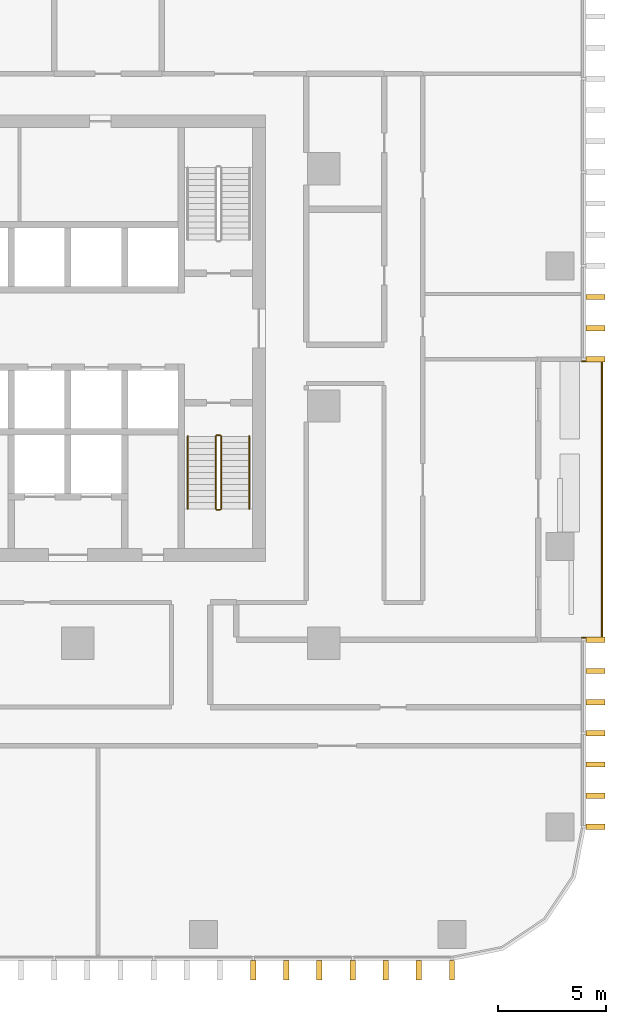
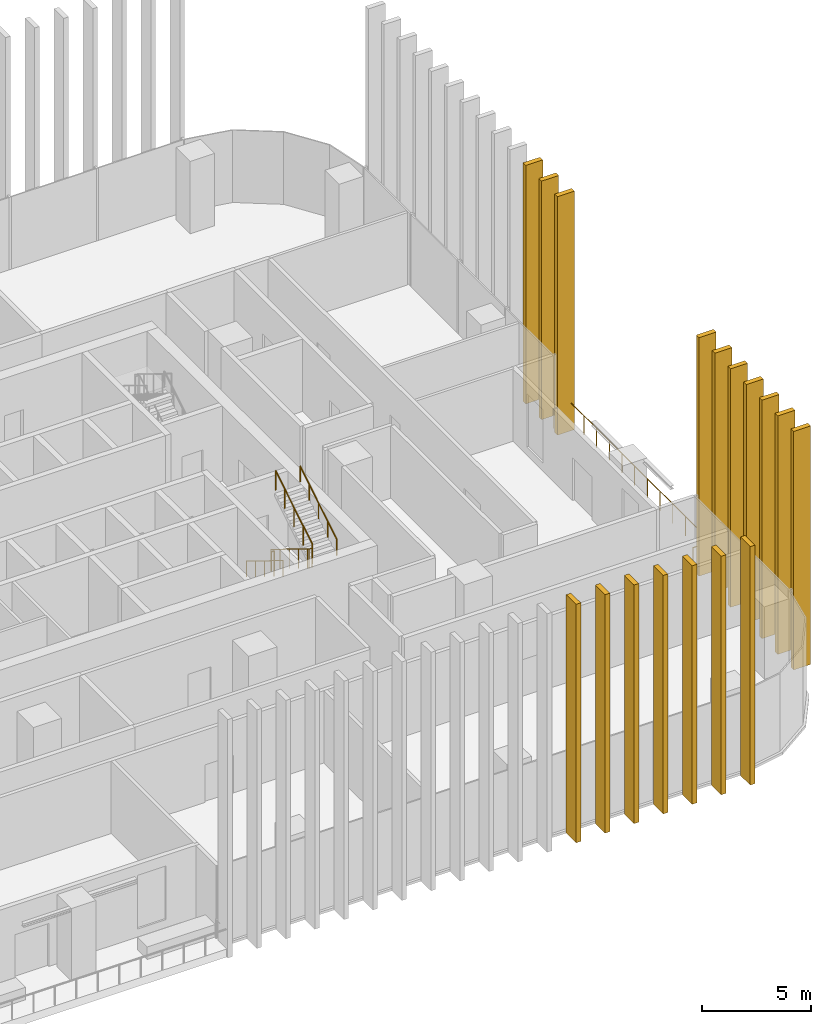
# One storey, part 14 of 17: 17 shading devices, 6 railings.
"""IFC4 building model written with IfcOpenShell, lengths in metres."""

from ifc_helpers import new_model, si_unit, direction, frame, origin, origin_2d, place, context, subcontext, project, spatial, rectangle, circle, extrude, material, type_object, element, save


model = new_model("IFC4")

# Units and contexts
model_context = context("Model", 3, precision=1e-05, world=origin(), true_north=direction((0.0, 1.0)))
body_context = subcontext(model_context, "Body", "Model", "MODEL_VIEW")
ifc_project = project(units=[si_unit("LENGTHUNIT", "METRE"), si_unit("AREAUNIT", "SQUARE_METRE"), si_unit("VOLUMEUNIT", "CUBIC_METRE"), si_unit("PLANEANGLEUNIT", "RADIAN"), si_unit("MASSUNIT", "GRAM", prefix="KILO")], contexts=[model_context])

# Site, building, storey
site_placement = place(None, origin())
site = spatial("IfcSite", under=ifc_project, at=site_placement, CompositionType="ELEMENT")
building_placement = place(site_placement, origin())
building = spatial("IfcBuilding", under=site, at=building_placement, Name="Mopane Tessera Tower", CompositionType="ELEMENT")
storey_placement = place(building_placement, frame((0.0, 0.0, 135.10009765625)))
storey = spatial("IfcBuildingStorey", under=building, at=storey_placement, Name="L27", CompositionType="ELEMENT", Elevation=135.10009765625)

# Shading devices
ifc_material_1 = material(Name="Glazed ceramic tile")
shading_device_type = type_object("IfcShadingDeviceType", Name="Ceramic tile fin 900 x 250 mm", PredefinedType="USERDEFINED", material=ifc_material_1)
for number, where, z_axis, x_axis, name in (
    (1, (13.830078125, -26.14990234375, -0.4501953125), (0.0, 0.0, 1.0), (1.0, 0.0, 0.0), "e:fin:L27:S:8:0"),
    (2, (15.36669921875, -26.14990234375, -0.4501953125), (0.0, 0.0, 1.0), (1.0, 0.0, 0.0), "e:fin:L27:S:8:1"),
    (3, (16.9033203125, -26.14990234375, -0.4501953125), (0.0, 0.0, 1.0), (1.0, 0.0, 0.0), "e:fin:L27:S:8:2"),
    (4, (18.43994140625, -26.14990234375, -0.4501953125), (0.0, 0.0, 1.0), (1.0, 0.0, 0.0), "e:fin:L27:S:9:0"),
    (5, (19.9765625, -26.14990234375, -0.4501953125), (0.0, 0.0, 1.0), (1.0, 0.0, 0.0), "e:fin:L27:S:9:1"),
    (6, (21.513427734375, -26.14990234375, -0.4501953125), (0.0, 0.0, 1.0), (1.0, 0.0, 0.0), "e:fin:L27:S:9:2"),
    (7, (23.050048828125, -26.14990234375, -0.4501953125), (0.0, 0.0, 1.0), (1.0, 0.0, 0.0), "e:fin:L27:S:9:3"),
    (8, (29.699951171875, -19.5, -0.4501953125), (0.0, 0.0, 1.0), (0.0, 1.0, 0.0), "e:fin:L27:E:0:0"),
    (9, (29.699951171875, -18.0556640625, -0.4501953125), (0.0, 0.0, 1.0), (0.0, 1.0, 0.0), "e:fin:L27:E:0:1"),
    (10, (29.699951171875, -16.611083984375, -0.4501953125), (0.0, 0.0, 1.0), (0.0, 1.0, 0.0), "e:fin:L27:E:0:2"),
    (11, (29.699951171875, -15.166748046875, -0.4501953125), (0.0, 0.0, 1.0), (0.0, 1.0, 0.0), "e:fin:L27:E:1:0"),
    (12, (29.699951171875, -13.72216796875, -0.4501953125), (0.0, 0.0, 1.0), (0.0, 1.0, 0.0), "e:fin:L27:E:1:1"),
    (13, (29.699951171875, -12.27783203125, -0.4501953125), (0.0, 0.0, 1.0), (0.0, 1.0, 0.0), "e:fin:L27:E:1:2"),
    (14, (29.699951171875, -10.833251953125, -0.4501953125), (0.0, 0.0, 1.0), (0.0, 1.0, 0.0), "e:fin:L27:E:1:3"),
    (15, (29.699951171875, 2.166748046875, -0.4501953125), (0.0, 0.0, 1.0), (0.0, 1.0, 0.0), "e:fin:L27:E:5:0"),
    (16, (29.699951171875, 3.611083984375, -0.4501953125), (0.0, 0.0, 1.0), (0.0, 1.0, 0.0), "e:fin:L27:E:5:1"),
    (17, (29.699951171875, 5.0556640625, -0.4501953125), (0.0, 0.0, 1.0), (0.0, 1.0, 0.0), "e:fin:L27:E:5:2"),
):
    element("IfcShadingDevice", number, at=place(storey_placement, frame(where, z_axis=z_axis, x_axis=x_axis)), inside=storey, type_object=shading_device_type, Name=name, ObjectType="FIN", PredefinedType="USERDEFINED", context=body_context, shape_type="SweptSolid", body=[
        extrude(rectangle(XDim=0.25, YDim=0.89990234375, at=origin_2d()), origin(), (0.0, 0.0, 1.0), 13.35009765625),
    ])

# Railings
ifc_material_2 = material(Name="Powder-coated steel balustrade", Category="steel")
railing_type_1 = type_object("IfcRailingType", Name="Escape stair guard 1100 mm", PredefinedType="GUARDRAIL", material=ifc_material_2)
railing_1_placement = place(storey_placement, frame((12.10009765625, -1.39990234375, 0.173095703125)))
element("IfcRailing", 18, at=railing_1_placement, inside=storey, type_object=railing_type_1, Name="L27 ST3 stair guard 1", PredefinedType="GUARDRAIL", context=body_context, shape_type="SweptSolid", body=[
    extrude(circle(Radius=0.02392578125, at=origin_2d()), frame((0.0, 0.0, 1.076171875), z_axis=(0.0, -0.850623216509, 0.525775754039), x_axis=(1.0, 0.0, 0.0)), (0.0, 0.0, 1.0), 3.9501953125),
    extrude(circle(Radius=0.02392578125, at=origin_2d()), frame((0.0, -3.360107421875, 3.15283203125), z_axis=(0.705375805398, -0.708833529934, 0.0), x_axis=(0.708833529934, 0.705375805398, 0.0)), (0.0, 0.0, 1.0), 0.070556640625),
    extrude(circle(Radius=0.02392578125, at=origin_2d()), frame((0.0498046875, -3.41015625, 3.15283203125), z_axis=(1.0, 0.0, 0.0), x_axis=(0.0, 1.0, 0.0)), (0.0, 0.0, 1.0), 0.150146484375),
    extrude(circle(Radius=0.02099609375, at=origin_2d()), origin(), (0.0, 0.0, 1.0), 1.052001953125),
    extrude(circle(Radius=0.02099609375, at=origin_2d()), frame((0.0, -0.840087890625, 0.519287109375)), (0.0, 0.0, 1.0), 1.052001953125),
    extrude(circle(Radius=0.02099609375, at=origin_2d()), frame((0.0, -1.68017578125, 1.03857421875)), (0.0, 0.0, 1.0), 1.052001953125),
    extrude(circle(Radius=0.02099609375, at=origin_2d()), frame((0.0, -2.52001953125, 1.5576171875)), (0.0, 0.0, 1.0), 1.052001953125),
    extrude(circle(Radius=0.02099609375, at=origin_2d()), frame((0.0, -3.360107421875, 2.076904296875)), (0.0, 0.0, 1.0), 1.052001953125),
    extrude(circle(Radius=0.02099609375, at=origin_2d()), frame((0.0498046875, -3.41015625, 2.076904296875)), (0.0, 0.0, 1.0), 1.052001953125),
    extrude(circle(Radius=0.02099609375, at=origin_2d()), frame((0.199951171875, -3.41015625, 2.076904296875)), (0.0, 0.0, 1.0), 1.052001953125),
])
railing_2_placement = place(storey_placement, frame((12.35009765625, -4.760009765625, 2.423095703125)))
element("IfcRailing", 19, at=railing_2_placement, inside=storey, type_object=railing_type_1, Name="L27 ST3 stair guard 2", PredefinedType="GUARDRAIL", context=body_context, shape_type="SweptSolid", body=[
    extrude(circle(Radius=0.02392578125, at=origin_2d()), frame((0.0, 0.0, 1.076171875), z_axis=(0.0, 0.850623216509, 0.525775754039), x_axis=(-1.0, 0.0, 0.0)), (0.0, 0.0, 1.0), 3.9501953125),
    extrude(circle(Radius=0.02099609375, at=origin_2d()), origin(), (0.0, 0.0, 1.0), 1.052001953125),
    extrude(circle(Radius=0.02099609375, at=origin_2d()), frame((0.0, 0.840087890625, 0.519287109375)), (0.0, 0.0, 1.0), 1.052001953125),
    extrude(circle(Radius=0.02099609375, at=origin_2d()), frame((0.0, 1.68017578125, 1.03857421875)), (0.0, 0.0, 1.0), 1.052001953125),
    extrude(circle(Radius=0.02099609375, at=origin_2d()), frame((0.0, 2.52001953125, 1.5576171875)), (0.0, 0.0, 1.0), 1.052001953125),
    extrude(circle(Radius=0.02099609375, at=origin_2d()), frame((0.0, 3.360107421875, 2.076904296875)), (0.0, 0.0, 1.0), 1.052001953125),
])
railing_3_placement = place(storey_placement, frame((12.14990234375, -1.35009765625, 0.0)))
element("IfcRailing", 20, at=railing_3_placement, inside=storey, type_object=railing_type_1, Name="L27 ST3 stair guard 3", PredefinedType="GUARDRAIL", context=body_context, shape_type="SweptSolid", body=[
    extrude(circle(Radius=0.02392578125, at=origin_2d()), frame((0.0, 0.0, 1.076171875), z_axis=(1.0, 0.0, 0.0), x_axis=(0.0, 1.0, 0.0)), (0.0, 0.0, 1.0), 0.150146484375),
    extrude(circle(Radius=0.02099609375, at=origin_2d()), origin(), (0.0, 0.0, 1.0), 1.052001953125),
    extrude(circle(Radius=0.02099609375, at=origin_2d()), frame((0.150146484375, 0.0, 0.0)), (0.0, 0.0, 1.0), 1.052001953125),
])
ifc_material_3 = material(Name="Powder-coated steel balustrade", Category="steel")
railing_type_2 = type_object("IfcRailingType", Name="Escape stair handrail 900 mm", PredefinedType="HANDRAIL", material=ifc_material_3)
railing_4_placement = place(storey_placement, frame((10.800048828125, -1.39990234375, 0.173095703125)))
element("IfcRailing", 21, at=railing_4_placement, inside=storey, type_object=railing_type_2, Name="L27 ST3 stair handrail 1", PredefinedType="HANDRAIL", context=body_context, shape_type="SweptSolid", body=[
    extrude(circle(Radius=0.02392578125, at=origin_2d()), frame((0.0, 0.0, 0.8759765625), z_axis=(0.0, -0.850623216509, 0.525775754039), x_axis=(1.0, 0.0, 0.0)), (0.0, 0.0, 1.0), 3.9501953125),
    extrude(circle(Radius=0.02099609375, at=origin_2d()), origin(), (0.0, 0.0, 1.0), 0.851806640625),
    extrude(circle(Radius=0.02099609375, at=origin_2d()), frame((0.0, -0.840087890625, 0.519287109375)), (0.0, 0.0, 1.0), 0.851806640625),
    extrude(circle(Radius=0.02099609375, at=origin_2d()), frame((0.0, -1.68017578125, 1.03857421875)), (0.0, 0.0, 1.0), 0.851806640625),
    extrude(circle(Radius=0.02099609375, at=origin_2d()), frame((0.0, -2.52001953125, 1.5576171875)), (0.0, 0.0, 1.0), 0.851806640625),
    extrude(circle(Radius=0.02099609375, at=origin_2d()), frame((0.0, -3.360107421875, 2.076904296875)), (0.0, 0.0, 1.0), 0.851806640625),
])
railing_5_placement = place(storey_placement, frame((13.64990234375, -4.760009765625, 2.423095703125)))
element("IfcRailing", 22, at=railing_5_placement, inside=storey, type_object=railing_type_2, Name="L27 ST3 stair handrail 2", PredefinedType="HANDRAIL", context=body_context, shape_type="SweptSolid", body=[
    extrude(circle(Radius=0.02392578125, at=origin_2d()), frame((0.0, 0.0, 0.8759765625), z_axis=(0.0, 0.850623216509, 0.525775754039), x_axis=(-1.0, 0.0, 0.0)), (0.0, 0.0, 1.0), 3.9501953125),
    extrude(circle(Radius=0.02099609375, at=origin_2d()), origin(), (0.0, 0.0, 1.0), 0.851806640625),
    extrude(circle(Radius=0.02099609375, at=origin_2d()), frame((0.0, 0.840087890625, 0.519287109375)), (0.0, 0.0, 1.0), 0.851806640625),
    extrude(circle(Radius=0.02099609375, at=origin_2d()), frame((0.0, 1.68017578125, 1.03857421875)), (0.0, 0.0, 1.0), 0.851806640625),
    extrude(circle(Radius=0.02099609375, at=origin_2d()), frame((0.0, 2.52001953125, 1.5576171875)), (0.0, 0.0, 1.0), 0.851806640625),
    extrude(circle(Radius=0.02099609375, at=origin_2d()), frame((0.0, 3.360107421875, 2.076904296875)), (0.0, 0.0, 1.0), 0.851806640625),
])
ifc_material_4 = material(Name="Stainless steel S316", Category="steel")
railing_type_3 = type_object("IfcRailingType", Name="Terrace guard 1100", PredefinedType="GUARDRAIL", material=ifc_material_4)
railing_6_placement = place(storey_placement, frame((29.050048828125, -10.7333984375, 0.0)))
element("IfcRailing", 23, at=railing_6_placement, inside=storey, type_object=railing_type_3, Name="e:nw:L27:N3:guard", PredefinedType="GUARDRAIL", context=body_context, shape_type="SweptSolid", body=[
    extrude(circle(Radius=0.02392578125, at=origin_2d()), frame((0.0, 0.0, 1.076171875), z_axis=(1.0, 0.0, 0.0), x_axis=(0.0, 1.0, 0.0)), (0.0, 0.0, 1.0), 0.949951171875),
    extrude(circle(Radius=0.02392578125, at=origin_2d()), frame((0.949951171875, 0.0, 1.076171875), z_axis=(0.0, 1.0, 0.0), x_axis=(-1.0, 0.0, 0.0)), (0.0, 0.0, 1.0), 12.800048828125),
    extrude(circle(Radius=0.02392578125, at=origin_2d()), frame((0.949951171875, 12.800048828125, 1.076171875), z_axis=(-1.0, 0.0, 0.0), x_axis=(0.0, -1.0, 0.0)), (0.0, 0.0, 1.0), 0.949951171875),
    extrude(circle(Radius=0.02099609375, at=origin_2d()), origin(), (0.0, 0.0, 1.0), 1.052001953125),
    extrude(circle(Radius=0.02099609375, at=origin_2d()), frame((0.949951171875, 0.0, 0.0)), (0.0, 0.0, 1.0), 1.052001953125),
    extrude(circle(Radius=0.02099609375, at=origin_2d()), frame((0.949951171875, 1.16357421875, 0.0)), (0.0, 0.0, 1.0), 1.052001953125),
    extrude(circle(Radius=0.02099609375, at=origin_2d()), frame((0.949951171875, 2.327392578125, 0.0)), (0.0, 0.0, 1.0), 1.052001953125),
    extrude(circle(Radius=0.02099609375, at=origin_2d()), frame((0.949951171875, 3.490966796875, 0.0)), (0.0, 0.0, 1.0), 1.052001953125),
    extrude(circle(Radius=0.02099609375, at=origin_2d()), frame((0.949951171875, 4.654541015625, 0.0)), (0.0, 0.0, 1.0), 1.052001953125),
    extrude(circle(Radius=0.02099609375, at=origin_2d()), frame((0.949951171875, 5.818115234375, 0.0)), (0.0, 0.0, 1.0), 1.052001953125),
    extrude(circle(Radius=0.02099609375, at=origin_2d()), frame((0.949951171875, 6.98193359375, 0.0)), (0.0, 0.0, 1.0), 1.052001953125),
    extrude(circle(Radius=0.02099609375, at=origin_2d()), frame((0.949951171875, 8.1455078125, 0.0)), (0.0, 0.0, 1.0), 1.052001953125),
    extrude(circle(Radius=0.02099609375, at=origin_2d()), frame((0.949951171875, 9.30908203125, 0.0)), (0.0, 0.0, 1.0), 1.052001953125),
    extrude(circle(Radius=0.02099609375, at=origin_2d()), frame((0.949951171875, 10.47265625, 0.0)), (0.0, 0.0, 1.0), 1.052001953125),
    extrude(circle(Radius=0.02099609375, at=origin_2d()), frame((0.949951171875, 11.636474609375, 0.0)), (0.0, 0.0, 1.0), 1.052001953125),
    extrude(circle(Radius=0.02099609375, at=origin_2d()), frame((0.949951171875, 12.800048828125, 0.0)), (0.0, 0.0, 1.0), 1.052001953125),
    extrude(circle(Radius=0.02099609375, at=origin_2d()), frame((0.0, 12.800048828125, 0.0)), (0.0, 0.0, 1.0), 1.052001953125),
])

save(model, "model.ifc")
